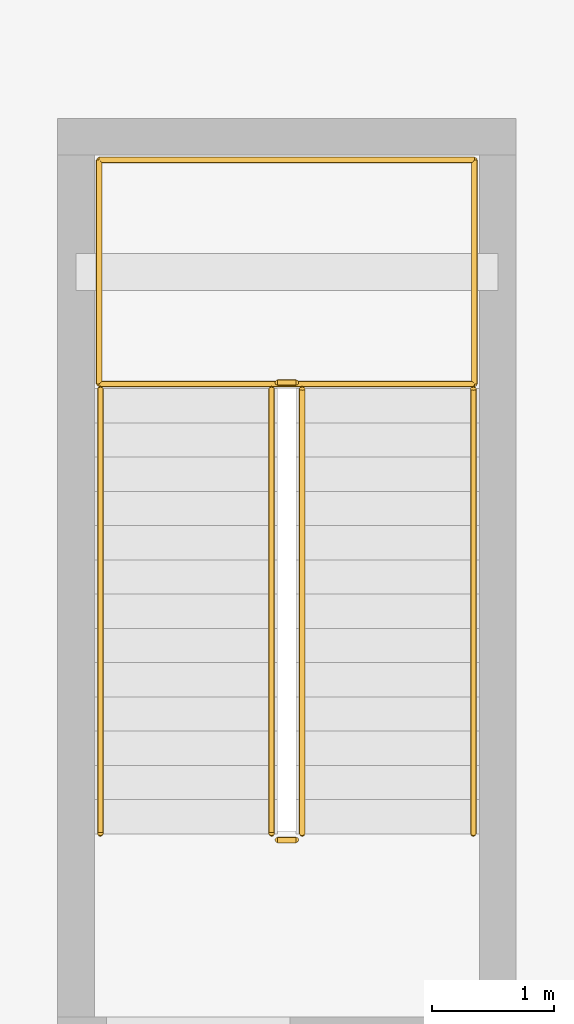
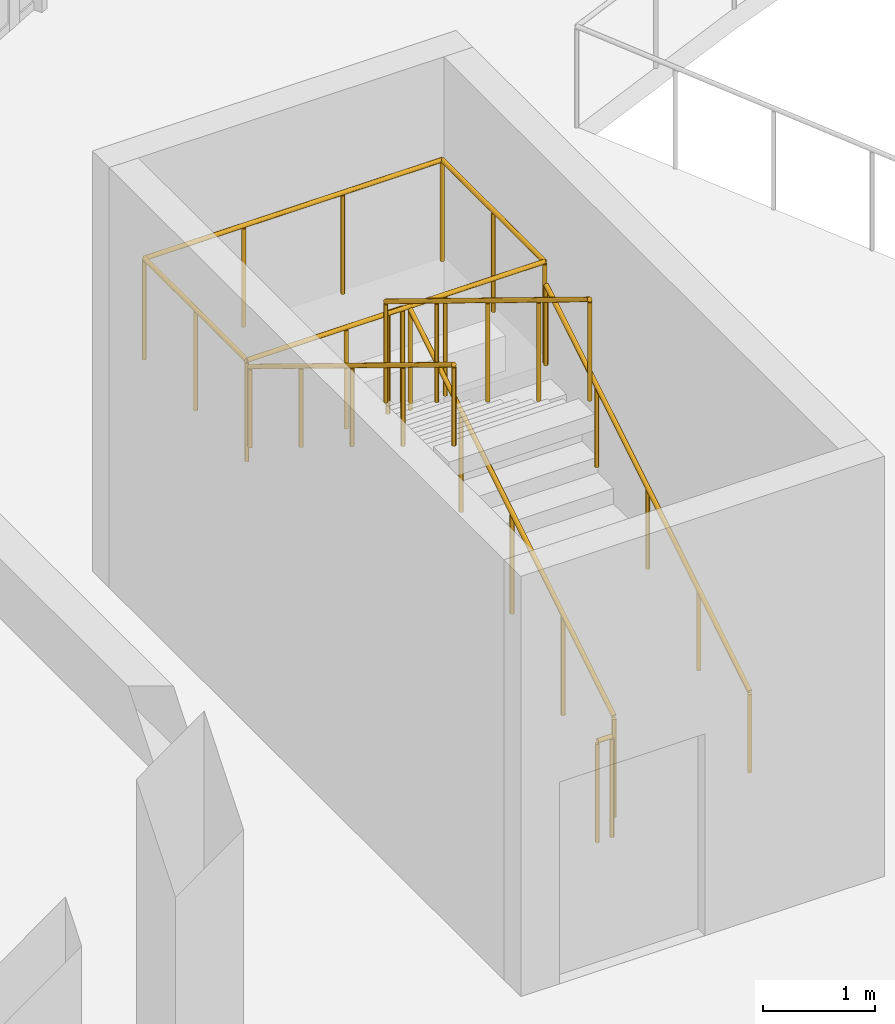
# One storey, part 60 of 65: 8 railings.
"""IFC4 building model written with IfcOpenShell, lengths in metres."""

from ifc_helpers import new_model, si_unit, direction, frame, origin, origin_2d, place, context, subcontext, project, spatial, circle, extrude, material, type_object, element, save


model = new_model("IFC4")

# Units and contexts
model_context = context("Model", 3, precision=1e-05, world=origin(), true_north=direction((0.0, 1.0)))
body_context = subcontext(model_context, "Body", "Model", "MODEL_VIEW")
ifc_project = project(units=[si_unit("LENGTHUNIT", "METRE"), si_unit("AREAUNIT", "SQUARE_METRE"), si_unit("VOLUMEUNIT", "CUBIC_METRE"), si_unit("PLANEANGLEUNIT", "RADIAN"), si_unit("MASSUNIT", "GRAM", prefix="KILO")], contexts=[model_context])

# Site, building, storey
site_placement = place(None, origin())
site = spatial("IfcSite", under=ifc_project, at=site_placement, CompositionType="ELEMENT")
building_placement = place(site_placement, origin())
building = spatial("IfcBuilding", under=site, at=building_placement, Name="Miralva Faculty of Natural Sciences", CompositionType="ELEMENT")
storey_placement = place(building_placement, frame((0.0, 0.0, 10.199951171875)))
storey = spatial("IfcBuildingStorey", under=building, at=storey_placement, Name="L02", CompositionType="ELEMENT", Elevation=10.199951171875)

# Railings
ifc_material = material(Name="Steel S355", Category="steel")
railing_type_1 = type_object("IfcRailingType", Name="RL-GR01", PredefinedType="GUARDRAIL", material=ifc_material)
railing_1_placement = place(storey_placement, frame((62.10009765625, 20.300048828125, 0.17138671875)))
element("IfcRailing", 1, at=railing_1_placement, inside=storey, type_object=railing_type_1, Name="Stair Core C6 safety guard L02-1", PredefinedType="GUARDRAIL", context=body_context, shape_type="SweptSolid", body=[
    extrude(circle(Radius=0.02392578125, at=origin_2d()), frame((0.0, 0.0, 1.09619140625), z_axis=(0.0, 0.852824790078, 0.522197163366), x_axis=(-1.0, 0.0, 0.0)), (0.0, 0.0, 1.0), 4.26806640625),
    extrude(circle(Radius=0.02099609375, at=origin_2d()), origin(), (0.0, 0.0, 1.0), 1.072021484375),
    extrude(circle(Radius=0.02099609375, at=origin_2d()), frame((0.0, 0.909912109375, 0.55712890625)), (0.0, 0.0, 1.0), 1.072021484375),
    extrude(circle(Radius=0.02099609375, at=origin_2d()), frame((0.0, 1.81982421875, 1.1142578125)), (0.0, 0.0, 1.0), 1.072021484375),
    extrude(circle(Radius=0.02099609375, at=origin_2d()), frame((0.0, 2.72998046875, 1.671630859375)), (0.0, 0.0, 1.0), 1.072021484375),
    extrude(circle(Radius=0.02099609375, at=origin_2d()), frame((0.0, 3.639892578125, 2.228759765625)), (0.0, 0.0, 1.0), 1.072021484375),
])
railing_2_placement = place(storey_placement, frame((62.050048828125, 23.989990234375, 2.400146484375)))
element("IfcRailing", 2, at=railing_2_placement, inside=storey, type_object=railing_type_1, Name="Stair Core C6 safety guard L02-2", PredefinedType="GUARDRAIL", context=body_context, shape_type="SweptSolid", body=[
    extrude(circle(Radius=0.02392578125, at=origin_2d()), frame((0.0, 0.0, 1.09619140625), z_axis=(-1.0, 0.0, 0.0), x_axis=(0.0, -1.0, 0.0)), (0.0, 0.0, 1.0), 0.150146484375),
    extrude(circle(Radius=0.02099609375, at=origin_2d()), origin(), (0.0, 0.0, 1.0), 1.072021484375),
    extrude(circle(Radius=0.02099609375, at=origin_2d()), frame((-0.150146484375, 0.0, 0.0)), (0.0, 0.0, 1.0), 1.072021484375),
])
railing_3_placement = place(storey_placement, frame((61.85009765625, 23.93994140625, 2.571533203125)))
element("IfcRailing", 3, at=railing_3_placement, inside=storey, type_object=railing_type_1, Name="Stair Core C6 safety guard L02-3", PredefinedType="GUARDRAIL", context=body_context, shape_type="SweptSolid", body=[
    extrude(circle(Radius=0.02392578125, at=origin_2d()), frame((0.0, 0.0, 1.09619140625), z_axis=(0.0, -0.852850264322, 0.5221555579), x_axis=(1.0, 0.0, 0.0)), (0.0, 0.0, 1.0), 4.267822265625),
    extrude(circle(Radius=0.02099609375, at=origin_2d()), origin(), (0.0, 0.0, 1.0), 1.072021484375),
    extrude(circle(Radius=0.02099609375, at=origin_2d()), frame((0.0, -0.909912109375, 0.55712890625)), (0.0, 0.0, 1.0), 1.072021484375),
    extrude(circle(Radius=0.02099609375, at=origin_2d()), frame((0.0, -1.81982421875, 1.1142578125)), (0.0, 0.0, 1.0), 1.072021484375),
    extrude(circle(Radius=0.02099609375, at=origin_2d()), frame((0.0, -2.72998046875, 1.67138671875)), (0.0, 0.0, 1.0), 1.072021484375),
    extrude(circle(Radius=0.02099609375, at=origin_2d()), frame((0.0, -3.639892578125, 2.228515625)), (0.0, 0.0, 1.0), 1.072021484375),
])
railing_4_placement = place(storey_placement, frame((62.050048828125, 20.25, 0.0)))
element("IfcRailing", 4, at=railing_4_placement, inside=storey, type_object=railing_type_1, Name="Stair Core C6 safety guard L02-4", PredefinedType="GUARDRAIL", context=body_context, shape_type="SweptSolid", body=[
    extrude(circle(Radius=0.02392578125, at=origin_2d()), frame((0.0, 0.0, 1.09619140625), z_axis=(-1.0, 0.0, 0.0), x_axis=(0.0, -1.0, 0.0)), (0.0, 0.0, 1.0), 0.150146484375),
    extrude(circle(Radius=0.02099609375, at=origin_2d()), origin(), (0.0, 0.0, 1.0), 1.072021484375),
    extrude(circle(Radius=0.02099609375, at=origin_2d()), frame((-0.150146484375, 0.0, 0.0)), (0.0, 0.0, 1.0), 1.072021484375),
])
railing_5_placement = place(storey_placement, frame((60.43994140625, 23.97998046875, 2.400146484375)))
element("IfcRailing", 5, at=railing_5_placement, inside=storey, type_object=railing_type_1, Name="Stair Core C6 half-landing guard L02-1A", PredefinedType="GUARDRAIL", context=body_context, shape_type="SweptSolid", body=[
    extrude(circle(Radius=0.02392578125, at=origin_2d()), frame((0.0, 0.0, 1.09619140625), z_axis=(0.0, 1.0, 0.0), x_axis=(-1.0, 0.0, 0.0)), (0.0, 0.0, 1.0), 1.830078125),
    extrude(circle(Radius=0.02392578125, at=origin_2d()), frame((0.0, 1.830078125, 1.09619140625), z_axis=(1.0, 0.0, 0.0), x_axis=(0.0, 1.0, 0.0)), (0.0, 0.0, 1.0), 3.070068359375),
    extrude(circle(Radius=0.02099609375, at=origin_2d()), origin(), (0.0, 0.0, 1.0), 1.072021484375),
    extrude(circle(Radius=0.02099609375, at=origin_2d()), frame((0.0, 0.9150390625, 0.0)), (0.0, 0.0, 1.0), 1.072021484375),
    extrude(circle(Radius=0.02099609375, at=origin_2d()), frame((0.0, 1.830078125, 0.0)), (0.0, 0.0, 1.0), 1.072021484375),
    extrude(circle(Radius=0.02099609375, at=origin_2d()), frame((1.0234375, 1.830078125, 0.0)), (0.0, 0.0, 1.0), 1.072021484375),
    extrude(circle(Radius=0.02099609375, at=origin_2d()), frame((2.046630859375, 1.830078125, 0.0)), (0.0, 0.0, 1.0), 1.072021484375),
    extrude(circle(Radius=0.02099609375, at=origin_2d()), frame((3.070068359375, 1.830078125, 0.0)), (0.0, 0.0, 1.0), 1.072021484375),
])
railing_6_placement = place(storey_placement, frame((63.510009765625, 25.81005859375, 2.400146484375)))
element("IfcRailing", 6, at=railing_6_placement, inside=storey, type_object=railing_type_1, Name="Stair Core C6 half-landing guard L02-1B", PredefinedType="GUARDRAIL", context=body_context, shape_type="SweptSolid", body=[
    extrude(circle(Radius=0.02392578125, at=origin_2d()), frame((0.0, 0.0, 1.09619140625), z_axis=(0.0, -1.0, 0.0), x_axis=(1.0, 0.0, 0.0)), (0.0, 0.0, 1.0), 1.830078125),
    extrude(circle(Radius=0.02392578125, at=origin_2d()), frame((0.0, -1.830078125, 1.09619140625), z_axis=(-1.0, 0.0, 0.0), x_axis=(0.0, -1.0, 0.0)), (0.0, 0.0, 1.0), 3.070068359375),
    extrude(circle(Radius=0.02099609375, at=origin_2d()), origin(), (0.0, 0.0, 1.0), 1.072021484375),
    extrude(circle(Radius=0.02099609375, at=origin_2d()), frame((0.0, -0.9150390625, 0.0)), (0.0, 0.0, 1.0), 1.072021484375),
    extrude(circle(Radius=0.02099609375, at=origin_2d()), frame((0.0, -1.830078125, 0.0)), (0.0, 0.0, 1.0), 1.072021484375),
    extrude(circle(Radius=0.02099609375, at=origin_2d()), frame((-1.0234375, -1.830078125, 0.0)), (0.0, 0.0, 1.0), 1.072021484375),
    extrude(circle(Radius=0.02099609375, at=origin_2d()), frame((-2.046630859375, -1.830078125, 0.0)), (0.0, 0.0, 1.0), 1.072021484375),
    extrude(circle(Radius=0.02099609375, at=origin_2d()), frame((-3.070068359375, -1.830078125, 0.0)), (0.0, 0.0, 1.0), 1.072021484375),
])
railing_type_2 = type_object("IfcRailingType", Name="RL-HR01", PredefinedType="HANDRAIL", material=ifc_material)
railing_7_placement = place(storey_placement, frame((63.5, 20.300048828125, 0.17138671875)))
element("IfcRailing", 7, at=railing_7_placement, inside=storey, type_object=railing_type_2, Name="Stair Core C6 handrail L02-1", PredefinedType="HANDRAIL", context=body_context, shape_type="SweptSolid", body=[
    extrude(circle(Radius=0.02392578125, at=origin_2d()), frame((0.0, 0.0, 0.8759765625), z_axis=(0.0, 0.852824790078, 0.522197163366), x_axis=(-1.0, 0.0, 0.0)), (0.0, 0.0, 1.0), 4.26806640625),
    extrude(circle(Radius=0.02099609375, at=origin_2d()), origin(), (0.0, 0.0, 1.0), 0.851806640625),
    extrude(circle(Radius=0.02099609375, at=origin_2d()), frame((0.0, 0.909912109375, 0.55712890625)), (0.0, 0.0, 1.0), 0.851806640625),
    extrude(circle(Radius=0.02099609375, at=origin_2d()), frame((0.0, 1.81982421875, 1.1142578125)), (0.0, 0.0, 1.0), 0.851806640625),
    extrude(circle(Radius=0.02099609375, at=origin_2d()), frame((0.0, 2.72998046875, 1.671630859375)), (0.0, 0.0, 1.0), 0.851806640625),
    extrude(circle(Radius=0.02099609375, at=origin_2d()), frame((0.0, 3.639892578125, 2.228759765625)), (0.0, 0.0, 1.0), 0.851806640625),
])
railing_8_placement = place(storey_placement, frame((60.449951171875, 23.93994140625, 2.571533203125)))
element("IfcRailing", 8, at=railing_8_placement, inside=storey, type_object=railing_type_2, Name="Stair Core C6 handrail L02-2", PredefinedType="HANDRAIL", context=body_context, shape_type="SweptSolid", body=[
    extrude(circle(Radius=0.02392578125, at=origin_2d()), frame((0.0, 0.0, 0.8759765625), z_axis=(0.0, -0.852850264322, 0.5221555579), x_axis=(1.0, 0.0, 0.0)), (0.0, 0.0, 1.0), 4.267822265625),
    extrude(circle(Radius=0.02099609375, at=origin_2d()), origin(), (0.0, 0.0, 1.0), 0.851806640625),
    extrude(circle(Radius=0.02099609375, at=origin_2d()), frame((0.0, -0.909912109375, 0.55712890625)), (0.0, 0.0, 1.0), 0.851806640625),
    extrude(circle(Radius=0.02099609375, at=origin_2d()), frame((0.0, -1.81982421875, 1.1142578125)), (0.0, 0.0, 1.0), 0.851806640625),
    extrude(circle(Radius=0.02099609375, at=origin_2d()), frame((0.0, -2.72998046875, 1.67138671875)), (0.0, 0.0, 1.0), 0.851806640625),
    extrude(circle(Radius=0.02099609375, at=origin_2d()), frame((0.0, -3.639892578125, 2.228515625)), (0.0, 0.0, 1.0), 0.851806640625),
])

save(model, "model.ifc")
